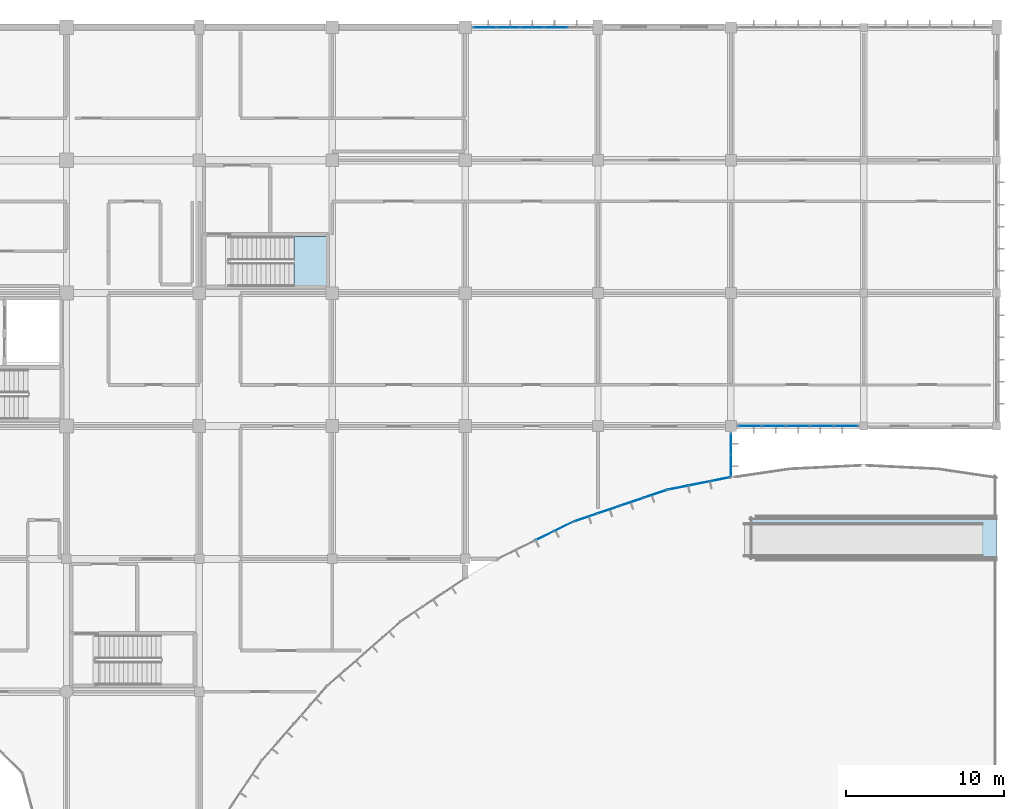
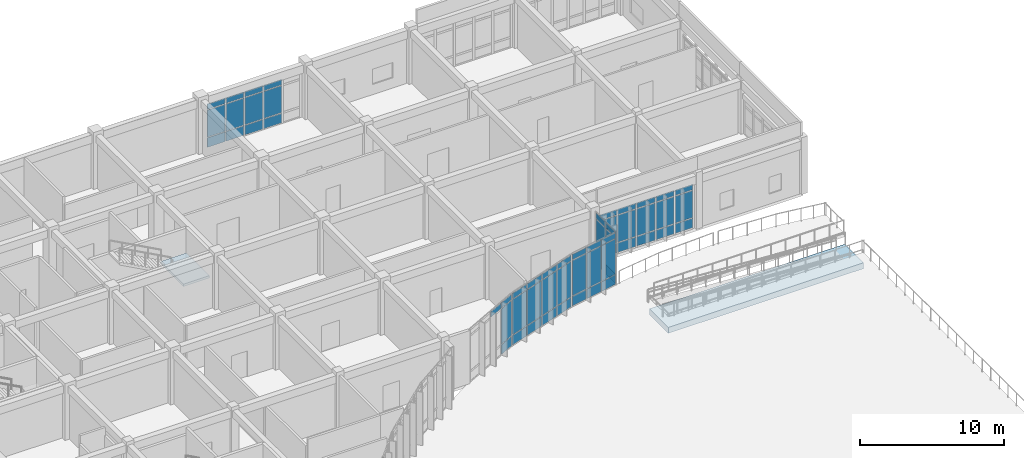
# One storey, part 81 of 138: 58 plates, 2 slabs, 7 elements without a shape of their own.
"""IFC4 building model written with IfcOpenShell, lengths in metres."""

from ifc_helpers import new_model, si_unit, direction, frame, origin, origin_2d, place, context, subcontext, project, spatial, polyline, rectangle, outline, extrude, material, layer, layer_set, type_object, element, aggregate, save


model = new_model("IFC4")

# Units and contexts
model_context = context("Model", 3, precision=1e-05, world=origin(), true_north=direction((0.0, 1.0)))
body_context = subcontext(model_context, "Body", "Model", "MODEL_VIEW")
ifc_project = project(units=[si_unit("LENGTHUNIT", "METRE"), si_unit("AREAUNIT", "SQUARE_METRE"), si_unit("VOLUMEUNIT", "CUBIC_METRE"), si_unit("PLANEANGLEUNIT", "RADIAN"), si_unit("MASSUNIT", "GRAM", prefix="KILO")], contexts=[model_context])

# Site, building, storey
site_placement = place(None, origin())
site = spatial("IfcSite", under=ifc_project, at=site_placement, CompositionType="ELEMENT")
building_placement = place(site_placement, origin())
building = spatial("IfcBuilding", under=site, at=building_placement, Name="Bramfleet General Hospital", CompositionType="ELEMENT")
storey_placement = place(building_placement, origin())
storey = spatial("IfcBuildingStorey", under=building, at=storey_placement, Name="L00", CompositionType="ELEMENT", Elevation=0.0)

# Curtain wall, plates
ifc_material_1 = material(Name="Anodised aluminium and low-E triple glazing", Category="aluminium")
ifc_layer_1 = layer(ifc_material_1, 0.179931640625, Name="CWT-CW-09")
ifc_layer_set_1 = layer_set([ifc_layer_1], Name="Anodised aluminium and low-E triple glazing")
curtain_wall_type_1 = type_object("IfcCurtainWallType", Name="CWT-CW-09", PredefinedType="USERDEFINED", material=ifc_layer_set_1)
curtain_wall_1_placement = place(storey_placement, origin())
curtain_wall_1 = element("IfcCurtainWall", 1, at=curtain_wall_1_placement, inside=storey, type_object=curtain_wall_type_1, Name="L00 Curtain Wall 9", ObjectType="Unitised curtain wall", PredefinedType="USERDEFINED")
ifc_material_2 = material(Name="Low-E laminated safety glass", Category="glass")
ifc_layer_2 = layer(ifc_material_2, 0.028076171875, Name="CWP-GLZ-1")
ifc_layer_set_2 = layer_set([ifc_layer_2], Name="Low-E laminated safety glass")
plate_type_1 = type_object("IfcPlateType", Name="CWP-GLZ-1", PredefinedType="CURTAIN_PANEL", material=ifc_layer_set_2)
plate_1_placement = place(storey_placement, frame((175.29248046875, 92.39990234375, 0.06494140625), z_axis=(0.0, 0.0, 1.0), x_axis=(-1.0, 0.0, 0.0)))
plate_1 = element("IfcPlate", 2, at=plate_1_placement, type_object=plate_type_1, Name="CW-09 panel 1.1", PredefinedType="CURTAIN_PANEL", context=body_context, shape_type="SweptSolid", body=[
    extrude(rectangle(XDim=1.425048828125, YDim=0.028076171875, at=origin_2d()), origin(), (0.0, 0.0, 1.0), 0.802490234375),
])
plate_2_placement = place(storey_placement, frame((175.29248046875, 92.39990234375, 0.9326171875), z_axis=(0.0, 0.0, 1.0), x_axis=(-1.0, 0.0, 0.0)))
plate_2 = element("IfcPlate", 3, at=plate_2_placement, type_object=plate_type_1, Name="CW-09 panel 1.2", PredefinedType="CURTAIN_PANEL", context=body_context, shape_type="SweptSolid", body=[
    extrude(rectangle(XDim=1.425048828125, YDim=0.028076171875, at=origin_2d()), origin(), (0.0, 0.0, 1.0), 2.27490234375),
])
plate_3_placement = place(storey_placement, frame((175.29248046875, 92.39990234375, 3.2724609375), z_axis=(0.0, 0.0, 1.0), x_axis=(-1.0, 0.0, 0.0)))
plate_3 = element("IfcPlate", 4, at=plate_3_placement, type_object=plate_type_1, Name="CW-09 panel 1.3", PredefinedType="CURTAIN_PANEL", context=body_context, shape_type="SweptSolid", body=[
    extrude(rectangle(XDim=1.425048828125, YDim=0.028076171875, at=origin_2d()), origin(), (0.0, 0.0, 1.0), 0.452392578125),
])
plate_4_placement = place(storey_placement, frame((173.780029296875, 92.39990234375, 0.06494140625), z_axis=(0.0, 0.0, 1.0), x_axis=(-1.0, 0.0, 0.0)))
plate_4 = element("IfcPlate", 5, at=plate_4_placement, type_object=plate_type_1, Name="CW-09 panel 2.1", PredefinedType="CURTAIN_PANEL", context=body_context, shape_type="SweptSolid", body=[
    extrude(rectangle(XDim=1.4599609375, YDim=0.028076171875, at=origin_2d()), origin(), (0.0, 0.0, 1.0), 0.802490234375),
])
plate_5_placement = place(storey_placement, frame((173.780029296875, 92.39990234375, 0.9326171875), z_axis=(0.0, 0.0, 1.0), x_axis=(-1.0, 0.0, 0.0)))
plate_5 = element("IfcPlate", 6, at=plate_5_placement, type_object=plate_type_1, Name="CW-09 panel 2.2", PredefinedType="CURTAIN_PANEL", context=body_context, shape_type="SweptSolid", body=[
    extrude(rectangle(XDim=1.4599609375, YDim=0.028076171875, at=origin_2d()), origin(), (0.0, 0.0, 1.0), 2.27490234375),
])
plate_6_placement = place(storey_placement, frame((173.780029296875, 92.39990234375, 3.2724609375), z_axis=(0.0, 0.0, 1.0), x_axis=(-1.0, 0.0, 0.0)))
plate_6 = element("IfcPlate", 7, at=plate_6_placement, type_object=plate_type_1, Name="CW-09 panel 2.3", PredefinedType="CURTAIN_PANEL", context=body_context, shape_type="SweptSolid", body=[
    extrude(rectangle(XDim=1.4599609375, YDim=0.028076171875, at=origin_2d()), origin(), (0.0, 0.0, 1.0), 0.452392578125),
])
plate_7_placement = place(storey_placement, frame((172.25, 92.39990234375, 0.06494140625), z_axis=(0.0, 0.0, 1.0), x_axis=(-1.0, 0.0, 0.0)))
plate_7 = element("IfcPlate", 8, at=plate_7_placement, type_object=plate_type_1, Name="CW-09 panel 3.1", PredefinedType="CURTAIN_PANEL", context=body_context, shape_type="SweptSolid", body=[
    extrude(rectangle(XDim=1.4599609375, YDim=0.028076171875, at=origin_2d()), origin(), (0.0, 0.0, 1.0), 0.802490234375),
])
plate_8_placement = place(storey_placement, frame((172.25, 92.39990234375, 0.9326171875), z_axis=(0.0, 0.0, 1.0), x_axis=(-1.0, 0.0, 0.0)))
plate_8 = element("IfcPlate", 9, at=plate_8_placement, type_object=plate_type_1, Name="CW-09 panel 3.2", PredefinedType="CURTAIN_PANEL", context=body_context, shape_type="SweptSolid", body=[
    extrude(rectangle(XDim=1.4599609375, YDim=0.028076171875, at=origin_2d()), origin(), (0.0, 0.0, 1.0), 2.27490234375),
])
plate_9_placement = place(storey_placement, frame((172.25, 92.39990234375, 3.2724609375), z_axis=(0.0, 0.0, 1.0), x_axis=(-1.0, 0.0, 0.0)))
plate_9 = element("IfcPlate", 10, at=plate_9_placement, type_object=plate_type_1, Name="CW-09 panel 3.3", PredefinedType="CURTAIN_PANEL", context=body_context, shape_type="SweptSolid", body=[
    extrude(rectangle(XDim=1.4599609375, YDim=0.028076171875, at=origin_2d()), origin(), (0.0, 0.0, 1.0), 0.452392578125),
])
plate_10_placement = place(storey_placement, frame((170.719970703125, 92.39990234375, 0.06494140625), z_axis=(0.0, 0.0, 1.0), x_axis=(-1.0, 0.0, 0.0)))
plate_10 = element("IfcPlate", 11, at=plate_10_placement, type_object=plate_type_1, Name="CW-09 panel 4.1", PredefinedType="CURTAIN_PANEL", context=body_context, shape_type="SweptSolid", body=[
    extrude(rectangle(XDim=1.4599609375, YDim=0.028076171875, at=origin_2d()), origin(), (0.0, 0.0, 1.0), 0.802490234375),
])
plate_11_placement = place(storey_placement, frame((170.719970703125, 92.39990234375, 0.9326171875), z_axis=(0.0, 0.0, 1.0), x_axis=(-1.0, 0.0, 0.0)))
plate_11 = element("IfcPlate", 12, at=plate_11_placement, type_object=plate_type_1, Name="CW-09 panel 4.2", PredefinedType="CURTAIN_PANEL", context=body_context, shape_type="SweptSolid", body=[
    extrude(rectangle(XDim=1.4599609375, YDim=0.028076171875, at=origin_2d()), origin(), (0.0, 0.0, 1.0), 2.27490234375),
])
plate_12_placement = place(storey_placement, frame((170.719970703125, 92.39990234375, 3.2724609375), z_axis=(0.0, 0.0, 1.0), x_axis=(-1.0, 0.0, 0.0)))
plate_12 = element("IfcPlate", 13, at=plate_12_placement, type_object=plate_type_1, Name="CW-09 panel 4.3", PredefinedType="CURTAIN_PANEL", context=body_context, shape_type="SweptSolid", body=[
    extrude(rectangle(XDim=1.4599609375, YDim=0.028076171875, at=origin_2d()), origin(), (0.0, 0.0, 1.0), 0.452392578125),
])
plate_13_placement = place(storey_placement, frame((169.20751953125, 92.39990234375, 0.06494140625), z_axis=(0.0, 0.0, 1.0), x_axis=(-1.0, 0.0, 0.0)))
plate_13 = element("IfcPlate", 14, at=plate_13_placement, type_object=plate_type_1, Name="CW-09 panel 5.1", PredefinedType="CURTAIN_PANEL", context=body_context, shape_type="SweptSolid", body=[
    extrude(rectangle(XDim=1.425048828125, YDim=0.028076171875, at=origin_2d()), origin(), (0.0, 0.0, 1.0), 0.802490234375),
])
plate_14_placement = place(storey_placement, frame((169.20751953125, 92.39990234375, 0.9326171875), z_axis=(0.0, 0.0, 1.0), x_axis=(-1.0, 0.0, 0.0)))
plate_14 = element("IfcPlate", 15, at=plate_14_placement, type_object=plate_type_1, Name="CW-09 panel 5.2", PredefinedType="CURTAIN_PANEL", context=body_context, shape_type="SweptSolid", body=[
    extrude(rectangle(XDim=1.425048828125, YDim=0.028076171875, at=origin_2d()), origin(), (0.0, 0.0, 1.0), 2.27490234375),
])
plate_15_placement = place(storey_placement, frame((169.20751953125, 92.39990234375, 3.2724609375), z_axis=(0.0, 0.0, 1.0), x_axis=(-1.0, 0.0, 0.0)))
plate_15 = element("IfcPlate", 16, at=plate_15_placement, type_object=plate_type_1, Name="CW-09 panel 5.3", PredefinedType="CURTAIN_PANEL", context=body_context, shape_type="SweptSolid", body=[
    extrude(rectangle(XDim=1.425048828125, YDim=0.028076171875, at=origin_2d()), origin(), (0.0, 0.0, 1.0), 0.452392578125),
])
aggregate(curtain_wall_1, [plate_1, plate_2, plate_3, plate_4, plate_5, plate_6, plate_7, plate_8, plate_9, plate_10, plate_11, plate_12, plate_13, plate_14, plate_15])

ifc_layer_3 = layer(ifc_material_1, 0.179931640625, Name="CWT-CW-13")
ifc_layer_set_3 = layer_set([ifc_layer_3], Name="Anodised aluminium and low-E triple glazing")
curtain_wall_type_2 = type_object("IfcCurtainWallType", Name="CWT-CW-13", PredefinedType="USERDEFINED", material=ifc_layer_set_3)
curtain_wall_2_placement = place(storey_placement, origin())
curtain_wall_2 = element("IfcCurtainWall", 17, at=curtain_wall_2_placement, inside=storey, type_object=curtain_wall_type_2, Name="L00 Curtain Wall 13", ObjectType="Stick curtain wall", PredefinedType="USERDEFINED")
plate_16_placement = place(storey_placement, frame((157.420654296875, 86.044921875, 0.06494140625), z_axis=(0.0, 0.0, 1.0), x_axis=(-0.896864723513, -0.442304948782, 0.0)))
plate_16 = element("IfcPlate", 18, at=plate_16_placement, type_object=plate_type_1, Name="CW-13 panel 1.1", PredefinedType="CURTAIN_PANEL", context=body_context, shape_type="SweptSolid", body=[
    extrude(rectangle(XDim=1.220947265625, YDim=0.028076171875, at=origin_2d()), origin(), (0.0, 0.0, 1.0), 0.802490234375),
])
plate_17_placement = place(storey_placement, frame((157.420654296875, 86.044921875, 0.932373046875), z_axis=(0.0, 0.0, 1.0), x_axis=(-0.896864723513, -0.442304948782, 0.0)))
plate_17 = element("IfcPlate", 19, at=plate_17_placement, type_object=plate_type_1, Name="CW-13 panel 1.2", PredefinedType="CURTAIN_PANEL", context=body_context, shape_type="SweptSolid", body=[
    extrude(rectangle(XDim=1.220947265625, YDim=0.028076171875, at=origin_2d()), origin(), (0.0, 0.0, 1.0), 2.97509765625),
])
plate_18_placement = place(storey_placement, frame((157.420654296875, 86.044921875, 3.97265625), z_axis=(0.0, 0.0, 1.0), x_axis=(-0.896864723513, -0.442304948782, 0.0)))
plate_18 = element("IfcPlate", 20, at=plate_18_placement, type_object=plate_type_1, Name="CW-13 panel 1.3", PredefinedType="CURTAIN_PANEL", context=body_context, shape_type="SweptSolid", body=[
    extrude(rectangle(XDim=1.220947265625, YDim=0.028076171875, at=origin_2d()), origin(), (0.0, 0.0, 1.0), 0.452392578125),
])
plate_19_placement = place(storey_placement, frame((156.2470703125, 85.46630859375, 3.97265625), z_axis=(0.0, 0.0, 1.0), x_axis=(-0.896864723513, -0.442304948782, 0.0)))
plate_19 = element("IfcPlate", 21, at=plate_19_placement, type_object=plate_type_1, Name="CW-13 panel 2.3", PredefinedType="CURTAIN_PANEL", context=body_context, shape_type="SweptSolid", body=[
    extrude(rectangle(XDim=1.256103515625, YDim=0.028076171875, at=origin_2d()), origin(), (0.0, 0.0, 1.0), 0.452392578125),
])
aggregate(curtain_wall_2, [plate_16, plate_17, plate_18, plate_19])

ifc_layer_4 = layer(ifc_material_1, 0.179931640625, Name="CWT-CW-10")
ifc_layer_set_4 = layer_set([ifc_layer_4], Name="Anodised aluminium and low-E triple glazing")
curtain_wall_type_3 = type_object("IfcCurtainWallType", Name="CWT-CW-10", PredefinedType="USERDEFINED", material=ifc_layer_set_4)
curtain_wall_3_placement = place(storey_placement, origin())
curtain_wall_3 = element("IfcCurtainWall", 22, at=curtain_wall_3_placement, inside=storey, type_object=curtain_wall_type_3, Name="L00 Curtain Wall 10", ObjectType="Stick curtain wall", PredefinedType="USERDEFINED")
ifc_layer_5 = layer(ifc_material_2, 0.031982421875, Name="CWP-GLZ-2")
ifc_layer_set_5 = layer_set([ifc_layer_5], Name="Low-E laminated safety glass")
plate_type_2 = type_object("IfcPlateType", Name="CWP-GLZ-2", PredefinedType="CURTAIN_PANEL", material=ifc_layer_set_5)
plate_20_placement = place(storey_placement, frame((168.0, 91.2548828125, 0.06494140625), z_axis=(0.0, 0.0, 1.0), x_axis=(0.0, -1.0, 0.0)))
plate_20 = element("IfcPlate", 23, at=plate_20_placement, type_object=plate_type_2, Name="CW-10 panel 1.1", PredefinedType="CURTAIN_PANEL", context=body_context, shape_type="SweptSolid", body=[
    extrude(rectangle(XDim=1.300048828125, YDim=0.031982421875, at=origin_2d()), origin(), (0.0, 0.0, 1.0), 0.802490234375),
])
plate_21_placement = place(storey_placement, frame((168.0, 91.2548828125, 0.932373046875), z_axis=(0.0, 0.0, 1.0), x_axis=(0.0, -1.0, 0.0)))
plate_21 = element("IfcPlate", 24, at=plate_21_placement, type_object=plate_type_2, Name="CW-10 panel 1.2", PredefinedType="CURTAIN_PANEL", context=body_context, shape_type="SweptSolid", body=[
    extrude(rectangle(XDim=1.300048828125, YDim=0.031982421875, at=origin_2d()), origin(), (0.0, 0.0, 1.0), 2.97509765625),
])
plate_22_placement = place(storey_placement, frame((168.0, 91.2548828125, 3.97265625), z_axis=(0.0, 0.0, 1.0), x_axis=(0.0, -1.0, 0.0)))
plate_22 = element("IfcPlate", 25, at=plate_22_placement, type_object=plate_type_2, Name="CW-10 panel 1.3", PredefinedType="CURTAIN_PANEL", context=body_context, shape_type="SweptSolid", body=[
    extrude(rectangle(XDim=1.300048828125, YDim=0.031982421875, at=origin_2d()), origin(), (0.0, 0.0, 1.0), 0.452392578125),
])
plate_23_placement = place(storey_placement, frame((168.0, 89.885009765625, 0.06494140625), z_axis=(0.0, 0.0, 1.0), x_axis=(0.0, -1.0, 0.0)))
plate_23 = element("IfcPlate", 26, at=plate_23_placement, type_object=plate_type_2, Name="CW-10 panel 2.1", PredefinedType="CURTAIN_PANEL", context=body_context, shape_type="SweptSolid", body=[
    extrude(rectangle(XDim=1.300048828125, YDim=0.031982421875, at=origin_2d()), origin(), (0.0, 0.0, 1.0), 0.802490234375),
])
plate_24_placement = place(storey_placement, frame((168.0, 89.885009765625, 0.932373046875), z_axis=(0.0, 0.0, 1.0), x_axis=(0.0, -1.0, 0.0)))
plate_24 = element("IfcPlate", 27, at=plate_24_placement, type_object=plate_type_2, Name="CW-10 panel 2.2", PredefinedType="CURTAIN_PANEL", context=body_context, shape_type="SweptSolid", body=[
    extrude(rectangle(XDim=1.300048828125, YDim=0.031982421875, at=origin_2d()), origin(), (0.0, 0.0, 1.0), 2.97509765625),
])
plate_25_placement = place(storey_placement, frame((168.0, 89.885009765625, 3.97265625), z_axis=(0.0, 0.0, 1.0), x_axis=(0.0, -1.0, 0.0)))
plate_25 = element("IfcPlate", 28, at=plate_25_placement, type_object=plate_type_2, Name="CW-10 panel 2.3", PredefinedType="CURTAIN_PANEL", context=body_context, shape_type="SweptSolid", body=[
    extrude(rectangle(XDim=1.300048828125, YDim=0.031982421875, at=origin_2d()), origin(), (0.0, 0.0, 1.0), 0.452392578125),
])
aggregate(curtain_wall_3, [plate_20, plate_21, plate_22, plate_23, plate_24, plate_25])

ifc_layer_6 = layer(ifc_material_1, 0.179931640625, Name="CWT-CW-11")
ifc_layer_set_6 = layer_set([ifc_layer_6], Name="Anodised aluminium and low-E triple glazing")
curtain_wall_type_4 = type_object("IfcCurtainWallType", Name="CWT-CW-11", PredefinedType="USERDEFINED", material=ifc_layer_set_6)
curtain_wall_4_placement = place(storey_placement, origin())
curtain_wall_4 = element("IfcCurtainWall", 29, at=curtain_wall_4_placement, inside=storey, type_object=curtain_wall_type_4, Name="L00 Curtain Wall 11", ObjectType="Stick curtain wall", PredefinedType="USERDEFINED")
ifc_layer_7 = layer(ifc_material_2, 0.035888671875, Name="CWP-GLZ-3")
ifc_layer_set_7 = layer_set([ifc_layer_7], Name="Low-E laminated safety glass")
plate_type_3 = type_object("IfcPlateType", Name="CWP-GLZ-3", PredefinedType="CURTAIN_PANEL", material=ifc_layer_set_7)
plate_26_placement = place(storey_placement, frame((167.312255859375, 89.028076171875, 0.06494140625), z_axis=(0.0, 0.0, 1.0), x_axis=(-0.980749087161, -0.195272189606, 0.0)))
plate_26 = element("IfcPlate", 30, at=plate_26_placement, type_object=plate_type_3, Name="CW-11 panel 1.1", PredefinedType="CURTAIN_PANEL", context=body_context, shape_type="SweptSolid", body=[
    extrude(rectangle(XDim=1.26220703125, YDim=0.035888671875, at=origin_2d()), origin(), (0.0, 0.0, 1.0), 0.802490234375),
])
plate_27_placement = place(storey_placement, frame((167.312255859375, 89.028076171875, 0.932373046875), z_axis=(0.0, 0.0, 1.0), x_axis=(-0.980749087161, -0.195272189606, 0.0)))
plate_27 = element("IfcPlate", 31, at=plate_27_placement, type_object=plate_type_3, Name="CW-11 panel 1.2", PredefinedType="CURTAIN_PANEL", context=body_context, shape_type="SweptSolid", body=[
    extrude(rectangle(XDim=1.26220703125, YDim=0.035888671875, at=origin_2d()), origin(), (0.0, 0.0, 1.0), 2.97509765625),
])
plate_28_placement = place(storey_placement, frame((167.312255859375, 89.028076171875, 3.97265625), z_axis=(0.0, 0.0, 1.0), x_axis=(-0.980749087161, -0.195272189606, 0.0)))
plate_28 = element("IfcPlate", 32, at=plate_28_placement, type_object=plate_type_3, Name="CW-11 panel 1.3", PredefinedType="CURTAIN_PANEL", context=body_context, shape_type="SweptSolid", body=[
    extrude(rectangle(XDim=1.26220703125, YDim=0.035888671875, at=origin_2d()), origin(), (0.0, 0.0, 1.0), 0.452392578125),
])
plate_29_placement = place(storey_placement, frame((165.988525390625, 88.764404296875, 0.06494140625), z_axis=(0.0, 0.0, 1.0), x_axis=(-0.980749087161, -0.195272189606, 0.0)))
plate_29 = element("IfcPlate", 33, at=plate_29_placement, type_object=plate_type_3, Name="CW-11 panel 2.1", PredefinedType="CURTAIN_PANEL", context=body_context, shape_type="SweptSolid", body=[
    extrude(rectangle(XDim=1.29736328125, YDim=0.035888671875, at=origin_2d()), origin(), (0.0, 0.0, 1.0), 0.802490234375),
])
plate_30_placement = place(storey_placement, frame((165.988525390625, 88.764404296875, 0.932373046875), z_axis=(0.0, 0.0, 1.0), x_axis=(-0.980749087161, -0.195272189606, 0.0)))
plate_30 = element("IfcPlate", 34, at=plate_30_placement, type_object=plate_type_3, Name="CW-11 panel 2.2", PredefinedType="CURTAIN_PANEL", context=body_context, shape_type="SweptSolid", body=[
    extrude(rectangle(XDim=1.29736328125, YDim=0.035888671875, at=origin_2d()), origin(), (0.0, 0.0, 1.0), 2.97509765625),
])
plate_31_placement = place(storey_placement, frame((165.988525390625, 88.764404296875, 3.97265625), z_axis=(0.0, 0.0, 1.0), x_axis=(-0.980749087161, -0.195272189606, 0.0)))
plate_31 = element("IfcPlate", 35, at=plate_31_placement, type_object=plate_type_3, Name="CW-11 panel 2.3", PredefinedType="CURTAIN_PANEL", context=body_context, shape_type="SweptSolid", body=[
    extrude(rectangle(XDim=1.29736328125, YDim=0.035888671875, at=origin_2d()), origin(), (0.0, 0.0, 1.0), 0.452392578125),
])
plate_32_placement = place(storey_placement, frame((164.66455078125, 88.5009765625, 0.06494140625), z_axis=(0.0, 0.0, 1.0), x_axis=(-0.980749087161, -0.195272189606, 0.0)))
plate_32 = element("IfcPlate", 36, at=plate_32_placement, type_object=plate_type_3, Name="CW-11 panel 3.1", PredefinedType="CURTAIN_PANEL", context=body_context, shape_type="SweptSolid", body=[
    extrude(rectangle(XDim=1.26220703125, YDim=0.035888671875, at=origin_2d()), origin(), (0.0, 0.0, 1.0), 0.802490234375),
])
plate_33_placement = place(storey_placement, frame((164.66455078125, 88.5009765625, 0.932373046875), z_axis=(0.0, 0.0, 1.0), x_axis=(-0.980749087161, -0.195272189606, 0.0)))
plate_33 = element("IfcPlate", 37, at=plate_33_placement, type_object=plate_type_3, Name="CW-11 panel 3.2", PredefinedType="CURTAIN_PANEL", context=body_context, shape_type="SweptSolid", body=[
    extrude(rectangle(XDim=1.26220703125, YDim=0.035888671875, at=origin_2d()), origin(), (0.0, 0.0, 1.0), 2.97509765625),
])
plate_34_placement = place(storey_placement, frame((164.66455078125, 88.5009765625, 3.97265625), z_axis=(0.0, 0.0, 1.0), x_axis=(-0.980749087161, -0.195272189606, 0.0)))
plate_34 = element("IfcPlate", 38, at=plate_34_placement, type_object=plate_type_3, Name="CW-11 panel 3.3", PredefinedType="CURTAIN_PANEL", context=body_context, shape_type="SweptSolid", body=[
    extrude(rectangle(XDim=1.26220703125, YDim=0.035888671875, at=origin_2d()), origin(), (0.0, 0.0, 1.0), 0.452392578125),
])
aggregate(curtain_wall_4, [plate_26, plate_27, plate_28, plate_29, plate_30, plate_31, plate_32, plate_33, plate_34])

ifc_layer_8 = layer(ifc_material_1, 0.179931640625, Name="CWT-CW-04")
ifc_layer_set_8 = layer_set([ifc_layer_8], Name="Anodised aluminium and low-E triple glazing")
curtain_wall_type_5 = type_object("IfcCurtainWallType", Name="CWT-CW-04", PredefinedType="USERDEFINED", material=ifc_layer_set_8)
curtain_wall_5_placement = place(storey_placement, origin())
curtain_wall_5 = element("IfcCurtainWall", 39, at=curtain_wall_5_placement, inside=storey, type_object=curtain_wall_type_5, Name="L00 Curtain Wall 4", ObjectType="Unitised curtain wall", PredefinedType="USERDEFINED")
ifc_layer_9 = layer(ifc_material_2, 0.0419921875, Name="CWP-GLZ-4")
ifc_layer_set_9 = layer_set([ifc_layer_9], Name="Low-E laminated safety glass")
plate_type_4 = type_object("IfcPlateType", Name="CWP-GLZ-4", PredefinedType="CURTAIN_PANEL", material=ifc_layer_set_9)
plate_35_placement = place(storey_placement, frame((152.447509765625, 117.60009765625, 0.06494140625), z_axis=(0.0, 0.0, 1.0), x_axis=(1.0, 0.0, 0.0)))
plate_35 = element("IfcPlate", 40, at=plate_35_placement, type_object=plate_type_4, Name="CW-04 panel 1.1", PredefinedType="CURTAIN_PANEL", context=body_context, shape_type="SweptSolid", body=[
    extrude(rectangle(XDim=1.405029296875, YDim=0.0419921875, at=origin_2d()), origin(), (0.0, 0.0, 1.0), 0.802490234375),
])
plate_36_placement = place(storey_placement, frame((152.447509765625, 117.60009765625, 0.9326171875), z_axis=(0.0, 0.0, 1.0), x_axis=(1.0, 0.0, 0.0)))
plate_36 = element("IfcPlate", 41, at=plate_36_placement, type_object=plate_type_4, Name="CW-04 panel 1.2", PredefinedType="CURTAIN_PANEL", context=body_context, shape_type="SweptSolid", body=[
    extrude(rectangle(XDim=1.405029296875, YDim=0.0419921875, at=origin_2d()), origin(), (0.0, 0.0, 1.0), 2.27490234375),
])
plate_37_placement = place(storey_placement, frame((152.447509765625, 117.60009765625, 3.2724609375), z_axis=(0.0, 0.0, 1.0), x_axis=(1.0, 0.0, 0.0)))
plate_37 = element("IfcPlate", 42, at=plate_37_placement, type_object=plate_type_4, Name="CW-04 panel 1.3", PredefinedType="CURTAIN_PANEL", context=body_context, shape_type="SweptSolid", body=[
    extrude(rectangle(XDim=1.405029296875, YDim=0.0419921875, at=origin_2d()), origin(), (0.0, 0.0, 1.0), 0.452392578125),
])
plate_38_placement = place(storey_placement, frame((153.93994140625, 117.60009765625, 0.06494140625), z_axis=(0.0, 0.0, 1.0), x_axis=(1.0, 0.0, 0.0)))
plate_38 = element("IfcPlate", 43, at=plate_38_placement, type_object=plate_type_4, Name="CW-04 panel 2.1", PredefinedType="CURTAIN_PANEL", context=body_context, shape_type="SweptSolid", body=[
    extrude(rectangle(XDim=1.43994140625, YDim=0.0419921875, at=origin_2d()), origin(), (0.0, 0.0, 1.0), 0.802490234375),
])
plate_39_placement = place(storey_placement, frame((153.93994140625, 117.60009765625, 0.9326171875), z_axis=(0.0, 0.0, 1.0), x_axis=(1.0, 0.0, 0.0)))
plate_39 = element("IfcPlate", 44, at=plate_39_placement, type_object=plate_type_4, Name="CW-04 panel 2.2", PredefinedType="CURTAIN_PANEL", context=body_context, shape_type="SweptSolid", body=[
    extrude(rectangle(XDim=1.43994140625, YDim=0.0419921875, at=origin_2d()), origin(), (0.0, 0.0, 1.0), 2.27490234375),
])
plate_40_placement = place(storey_placement, frame((153.93994140625, 117.60009765625, 3.2724609375), z_axis=(0.0, 0.0, 1.0), x_axis=(1.0, 0.0, 0.0)))
plate_40 = element("IfcPlate", 45, at=plate_40_placement, type_object=plate_type_4, Name="CW-04 panel 2.3", PredefinedType="CURTAIN_PANEL", context=body_context, shape_type="SweptSolid", body=[
    extrude(rectangle(XDim=1.43994140625, YDim=0.0419921875, at=origin_2d()), origin(), (0.0, 0.0, 1.0), 0.452392578125),
])
plate_41_placement = place(storey_placement, frame((155.449951171875, 117.60009765625, 0.06494140625), z_axis=(0.0, 0.0, 1.0), x_axis=(1.0, 0.0, 0.0)))
plate_41 = element("IfcPlate", 46, at=plate_41_placement, type_object=plate_type_4, Name="CW-04 panel 3.1", PredefinedType="CURTAIN_PANEL", context=body_context, shape_type="SweptSolid", body=[
    extrude(rectangle(XDim=1.43994140625, YDim=0.0419921875, at=origin_2d()), origin(), (0.0, 0.0, 1.0), 0.802490234375),
])
plate_42_placement = place(storey_placement, frame((155.449951171875, 117.60009765625, 0.9326171875), z_axis=(0.0, 0.0, 1.0), x_axis=(1.0, 0.0, 0.0)))
plate_42 = element("IfcPlate", 47, at=plate_42_placement, type_object=plate_type_4, Name="CW-04 panel 3.2", PredefinedType="CURTAIN_PANEL", context=body_context, shape_type="SweptSolid", body=[
    extrude(rectangle(XDim=1.43994140625, YDim=0.0419921875, at=origin_2d()), origin(), (0.0, 0.0, 1.0), 2.27490234375),
])
plate_43_placement = place(storey_placement, frame((155.449951171875, 117.60009765625, 3.2724609375), z_axis=(0.0, 0.0, 1.0), x_axis=(1.0, 0.0, 0.0)))
plate_43 = element("IfcPlate", 48, at=plate_43_placement, type_object=plate_type_4, Name="CW-04 panel 3.3", PredefinedType="CURTAIN_PANEL", context=body_context, shape_type="SweptSolid", body=[
    extrude(rectangle(XDim=1.43994140625, YDim=0.0419921875, at=origin_2d()), origin(), (0.0, 0.0, 1.0), 0.452392578125),
])
plate_44_placement = place(storey_placement, frame((156.9599609375, 117.60009765625, 0.06494140625), z_axis=(0.0, 0.0, 1.0), x_axis=(1.0, 0.0, 0.0)))
plate_44 = element("IfcPlate", 49, at=plate_44_placement, type_object=plate_type_4, Name="CW-04 panel 4.1", PredefinedType="CURTAIN_PANEL", context=body_context, shape_type="SweptSolid", body=[
    extrude(rectangle(XDim=1.43994140625, YDim=0.0419921875, at=origin_2d()), origin(), (0.0, 0.0, 1.0), 0.802490234375),
])
plate_45_placement = place(storey_placement, frame((156.9599609375, 117.60009765625, 0.9326171875), z_axis=(0.0, 0.0, 1.0), x_axis=(1.0, 0.0, 0.0)))
plate_45 = element("IfcPlate", 50, at=plate_45_placement, type_object=plate_type_4, Name="CW-04 panel 4.2", PredefinedType="CURTAIN_PANEL", context=body_context, shape_type="SweptSolid", body=[
    extrude(rectangle(XDim=1.43994140625, YDim=0.0419921875, at=origin_2d()), origin(), (0.0, 0.0, 1.0), 2.27490234375),
])
plate_46_placement = place(storey_placement, frame((156.9599609375, 117.60009765625, 3.2724609375), z_axis=(0.0, 0.0, 1.0), x_axis=(1.0, 0.0, 0.0)))
plate_46 = element("IfcPlate", 51, at=plate_46_placement, type_object=plate_type_4, Name="CW-04 panel 4.3", PredefinedType="CURTAIN_PANEL", context=body_context, shape_type="SweptSolid", body=[
    extrude(rectangle(XDim=1.43994140625, YDim=0.0419921875, at=origin_2d()), origin(), (0.0, 0.0, 1.0), 0.452392578125),
])
aggregate(curtain_wall_5, [plate_35, plate_36, plate_37, plate_38, plate_39, plate_40, plate_41, plate_42, plate_43, plate_44, plate_45, plate_46])

ifc_layer_10 = layer(ifc_material_1, 0.179931640625, Name="CWT-CW-12")
ifc_layer_set_10 = layer_set([ifc_layer_10], Name="Anodised aluminium and low-E triple glazing")
curtain_wall_type_6 = type_object("IfcCurtainWallType", Name="CWT-CW-12", PredefinedType="USERDEFINED", material=ifc_layer_set_10)
curtain_wall_6_placement = place(storey_placement, origin())
curtain_wall_6 = element("IfcCurtainWall", 52, at=curtain_wall_6_placement, inside=storey, type_object=curtain_wall_type_6, Name="L00 Curtain Wall 12", ObjectType="Stick curtain wall", PredefinedType="USERDEFINED")
plate_47_placement = place(storey_placement, frame((163.21728515625, 88.106201171875, 0.06494140625), z_axis=(0.0, 0.0, 1.0), x_axis=(-0.946949276617, -0.321383054181, 0.0)))
plate_47 = element("IfcPlate", 53, at=plate_47_placement, type_object=plate_type_4, Name="CW-12 panel 1.1", PredefinedType="CURTAIN_PANEL", context=body_context, shape_type="SweptSolid", body=[
    extrude(rectangle(XDim=1.46484375, YDim=0.0419921875, at=origin_2d()), origin(), (0.0, 0.0, 1.0), 0.802490234375),
])
plate_48_placement = place(storey_placement, frame((163.21728515625, 88.106201171875, 0.932373046875), z_axis=(0.0, 0.0, 1.0), x_axis=(-0.946949276617, -0.321383054181, 0.0)))
plate_48 = element("IfcPlate", 54, at=plate_48_placement, type_object=plate_type_4, Name="CW-12 panel 1.2", PredefinedType="CURTAIN_PANEL", context=body_context, shape_type="SweptSolid", body=[
    extrude(rectangle(XDim=1.46484375, YDim=0.0419921875, at=origin_2d()), origin(), (0.0, 0.0, 1.0), 2.97509765625),
])
plate_49_placement = place(storey_placement, frame((163.21728515625, 88.106201171875, 3.97265625), z_axis=(0.0, 0.0, 1.0), x_axis=(-0.946949276617, -0.321383054181, 0.0)))
plate_49 = element("IfcPlate", 55, at=plate_49_placement, type_object=plate_type_4, Name="CW-12 panel 1.3", PredefinedType="CURTAIN_PANEL", context=body_context, shape_type="SweptSolid", body=[
    extrude(rectangle(XDim=1.46484375, YDim=0.0419921875, at=origin_2d()), origin(), (0.0, 0.0, 1.0), 0.452392578125),
])
plate_50_placement = place(storey_placement, frame((161.747314453125, 87.607177734375, 0.06494140625), z_axis=(0.0, 0.0, 1.0), x_axis=(-0.946949276617, -0.321383054181, 0.0)))
plate_50 = element("IfcPlate", 56, at=plate_50_placement, type_object=plate_type_4, Name="CW-12 panel 2.1", PredefinedType="CURTAIN_PANEL", context=body_context, shape_type="SweptSolid", body=[
    extrude(rectangle(XDim=1.499755859375, YDim=0.0419921875, at=origin_2d()), origin(), (0.0, 0.0, 1.0), 0.802490234375),
])
plate_51_placement = place(storey_placement, frame((161.747314453125, 87.607177734375, 0.932373046875), z_axis=(0.0, 0.0, 1.0), x_axis=(-0.946949276617, -0.321383054181, 0.0)))
plate_51 = element("IfcPlate", 57, at=plate_51_placement, type_object=plate_type_4, Name="CW-12 panel 2.2", PredefinedType="CURTAIN_PANEL", context=body_context, shape_type="SweptSolid", body=[
    extrude(rectangle(XDim=1.499755859375, YDim=0.0419921875, at=origin_2d()), origin(), (0.0, 0.0, 1.0), 2.97509765625),
])
plate_52_placement = place(storey_placement, frame((161.747314453125, 87.607177734375, 3.97265625), z_axis=(0.0, 0.0, 1.0), x_axis=(-0.946949276617, -0.321383054181, 0.0)))
plate_52 = element("IfcPlate", 58, at=plate_52_placement, type_object=plate_type_4, Name="CW-12 panel 2.3", PredefinedType="CURTAIN_PANEL", context=body_context, shape_type="SweptSolid", body=[
    extrude(rectangle(XDim=1.499755859375, YDim=0.0419921875, at=origin_2d()), origin(), (0.0, 0.0, 1.0), 0.452392578125),
])
plate_53_placement = place(storey_placement, frame((160.2607421875, 87.102783203125, 0.06494140625), z_axis=(0.0, 0.0, 1.0), x_axis=(-0.946949276617, -0.321383054181, 0.0)))
plate_53 = element("IfcPlate", 59, at=plate_53_placement, type_object=plate_type_4, Name="CW-12 panel 3.1", PredefinedType="CURTAIN_PANEL", context=body_context, shape_type="SweptSolid", body=[
    extrude(rectangle(XDim=1.499755859375, YDim=0.0419921875, at=origin_2d()), origin(), (0.0, 0.0, 1.0), 0.802490234375),
])
plate_54_placement = place(storey_placement, frame((160.2607421875, 87.102783203125, 0.932373046875), z_axis=(0.0, 0.0, 1.0), x_axis=(-0.946949276617, -0.321383054181, 0.0)))
plate_54 = element("IfcPlate", 60, at=plate_54_placement, type_object=plate_type_4, Name="CW-12 panel 3.2", PredefinedType="CURTAIN_PANEL", context=body_context, shape_type="SweptSolid", body=[
    extrude(rectangle(XDim=1.499755859375, YDim=0.0419921875, at=origin_2d()), origin(), (0.0, 0.0, 1.0), 2.97509765625),
])
plate_55_placement = place(storey_placement, frame((160.2607421875, 87.102783203125, 3.97265625), z_axis=(0.0, 0.0, 1.0), x_axis=(-0.946949276617, -0.321383054181, 0.0)))
plate_55 = element("IfcPlate", 61, at=plate_55_placement, type_object=plate_type_4, Name="CW-12 panel 3.3", PredefinedType="CURTAIN_PANEL", context=body_context, shape_type="SweptSolid", body=[
    extrude(rectangle(XDim=1.499755859375, YDim=0.0419921875, at=origin_2d()), origin(), (0.0, 0.0, 1.0), 0.452392578125),
])
plate_56_placement = place(storey_placement, frame((158.790771484375, 86.603759765625, 0.06494140625), z_axis=(0.0, 0.0, 1.0), x_axis=(-0.946949276617, -0.321383054181, 0.0)))
plate_56 = element("IfcPlate", 62, at=plate_56_placement, type_object=plate_type_4, Name="CW-12 panel 4.1", PredefinedType="CURTAIN_PANEL", context=body_context, shape_type="SweptSolid", body=[
    extrude(rectangle(XDim=1.46484375, YDim=0.0419921875, at=origin_2d()), origin(), (0.0, 0.0, 1.0), 0.802490234375),
])
plate_57_placement = place(storey_placement, frame((158.790771484375, 86.603759765625, 0.932373046875), z_axis=(0.0, 0.0, 1.0), x_axis=(-0.946949276617, -0.321383054181, 0.0)))
plate_57 = element("IfcPlate", 63, at=plate_57_placement, type_object=plate_type_4, Name="CW-12 panel 4.2", PredefinedType="CURTAIN_PANEL", context=body_context, shape_type="SweptSolid", body=[
    extrude(rectangle(XDim=1.46484375, YDim=0.0419921875, at=origin_2d()), origin(), (0.0, 0.0, 1.0), 2.97509765625),
])
plate_58_placement = place(storey_placement, frame((158.790771484375, 86.603759765625, 3.97265625), z_axis=(0.0, 0.0, 1.0), x_axis=(-0.946949276617, -0.321383054181, 0.0)))
plate_58 = element("IfcPlate", 64, at=plate_58_placement, type_object=plate_type_4, Name="CW-12 panel 4.3", PredefinedType="CURTAIN_PANEL", context=body_context, shape_type="SweptSolid", body=[
    extrude(rectangle(XDim=1.46484375, YDim=0.0419921875, at=origin_2d()), origin(), (0.0, 0.0, 1.0), 0.452392578125),
])
aggregate(curtain_wall_6, [plate_47, plate_48, plate_49, plate_50, plate_51, plate_52, plate_53, plate_54, plate_55, plate_56, plate_57, plate_58])

# Slab
ifc_material_3 = material(Name="Concrete C35/45", Category="concrete")
ifc_layer_11 = layer(ifc_material_3, 0.5, Name="SL-BASE-500")
ifc_layer_set_11 = layer_set([ifc_layer_11], Name="Concrete C35/45")
slab_type_1 = type_object("IfcSlabType", Name="SL-BASE-500", PredefinedType="BASESLAB", material=ifc_layer_set_11)
slab_1_placement = place(storey_placement, frame((0.0, 0.0, -1.39990234375)))
element("IfcSlab", 65, at=slab_1_placement, inside=storey, type_object=slab_type_1, Name="Grounded Ramp Pocket Slab 6", PredefinedType="BASESLAB", context=body_context, shape_type="SweptSolid", body=[
    extrude(outline(polyline([(169.199951171875, 84.0), (184.800048828125, 84.0), (184.800048828125, 86.60009765625), (169.199951171875, 86.60009765625), (169.199951171875, 84.0)])), origin(), (0.0, 0.0, 1.0), 0.5),
])

# Stair, slab
stair_type = type_object("IfcStairType", Name="STR-T2", PredefinedType="HALF_TURN_STAIR", material=ifc_material_3)
stair_placement = place(storey_placement, origin())
stair = element("IfcStair", 66, at=stair_placement, inside=storey, type_object=stair_type, Name="L00 Core C9 (North-East Ward & Diagnostic Escape) Protected Escape Stair", PredefinedType="HALF_TURN_STAIR")
ifc_layer_12 = layer(ifc_material_3, 0.199951171875, Name="SL-LND-200")
ifc_layer_set_12 = layer_set([ifc_layer_12], Name="Concrete C35/45")
slab_type_2 = type_object("IfcSlabType", Name="SL-LND-200", PredefinedType="LANDING", material=ifc_layer_set_12)
slab_2_placement = place(storey_placement, frame((0.0, 0.0, 2.199951171875)))
slab_2 = element("IfcSlab", 67, at=slab_2_placement, type_object=slab_type_2, Name="ST-C9 landing 1", PredefinedType="LANDING", context=body_context, shape_type="SweptSolid", body=[
    extrude(outline(polyline([(140.3701171875, 101.219970703125), (142.4599609375, 101.219970703125), (142.4599609375, 104.3798828125), (140.3701171875, 104.3798828125), (140.3701171875, 101.219970703125)])), origin(), (0.0, 0.0, 1.0), 0.199951171875),
])
aggregate(stair, [slab_2])

save(model, "model.ifc")
